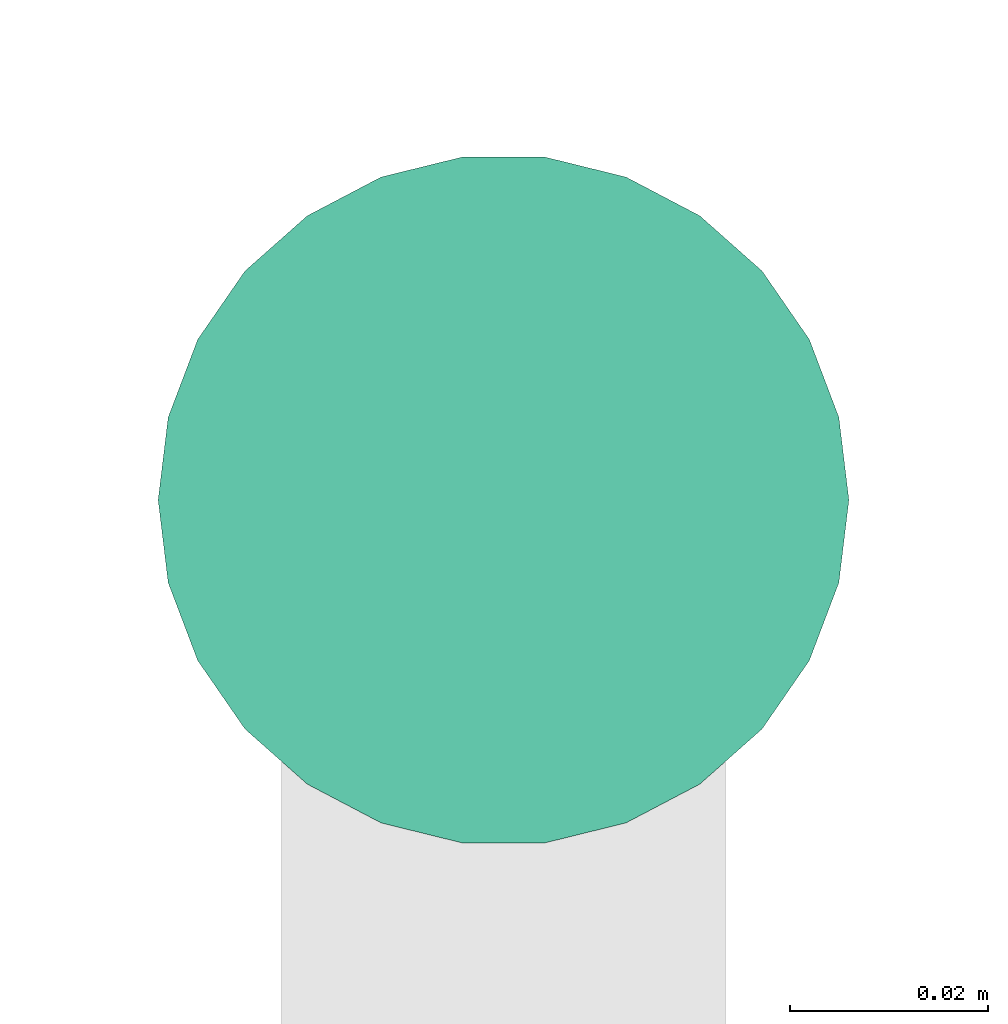
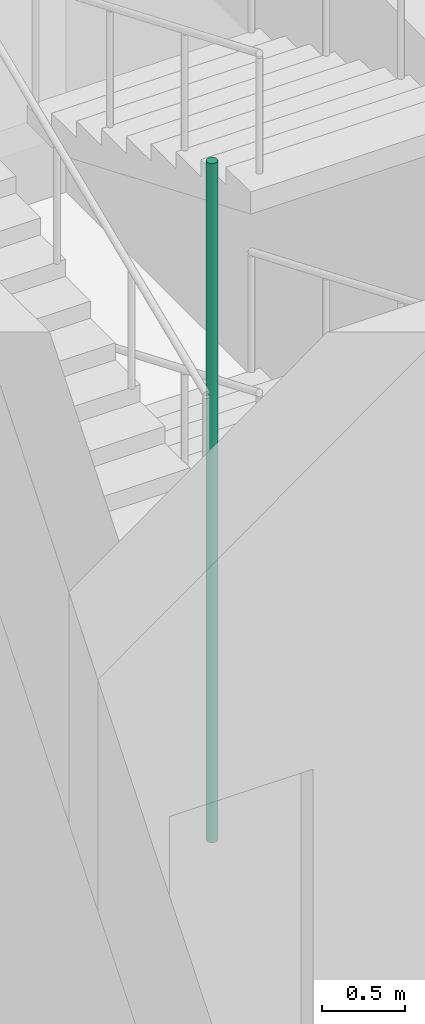
# One storey, part 24 of 31: 1 pipe segment.
"""IFC4 building model written with IfcOpenShell, lengths in metres."""

from ifc_helpers import new_model, si_unit, direction, frame, origin, origin_2d, place, context, subcontext, project, spatial, circle, extrude, element, save


model = new_model("IFC4")

# Units and contexts
model_context = context("Model", 3, precision=1e-05, world=origin(), true_north=direction((0.0, 1.0)))
body_context = subcontext(model_context, "Body", "Model", "MODEL_VIEW")
ifc_project = project(units=[si_unit("LENGTHUNIT", "METRE"), si_unit("AREAUNIT", "SQUARE_METRE"), si_unit("VOLUMEUNIT", "CUBIC_METRE"), si_unit("PLANEANGLEUNIT", "RADIAN"), si_unit("MASSUNIT", "GRAM", prefix="KILO")], contexts=[model_context])

# Site, building, storey
site_placement = place(None, origin())
site = spatial("IfcSite", under=ifc_project, at=site_placement, CompositionType="ELEMENT")
building_placement = place(site_placement, origin())
building = spatial("IfcBuilding", under=site, at=building_placement, Name="Nzadi Deep Aquarium and Research Tower", CompositionType="ELEMENT")
storey_placement = place(building_placement, frame((0.0, 0.0, 21.699951171875)))
storey = spatial("IfcBuildingStorey", under=building, at=storey_placement, Name="L03", CompositionType="ELEMENT", Elevation=21.699951171875)

# Pipe segment
pipe_segment_placement = place(storey_placement, frame((2.300048828125, 116.360107421875, 0.0), z_axis=(0.0, 0.0, 1.0), x_axis=(1.0, 0.0, 0.0)))
element("IfcPipeSegment", 1, at=pipe_segment_placement, inside=storey, Name="Dry riser ST-Z3-W L03", PredefinedType="RIGIDSEGMENT", context=body_context, shape_type="SweptSolid", body=[
    extrude(circle(Radius=0.034912109375, at=origin_2d()), origin(), (0.0, 0.0, 1.0), 5.0),
])

save(model, "model.ifc")
